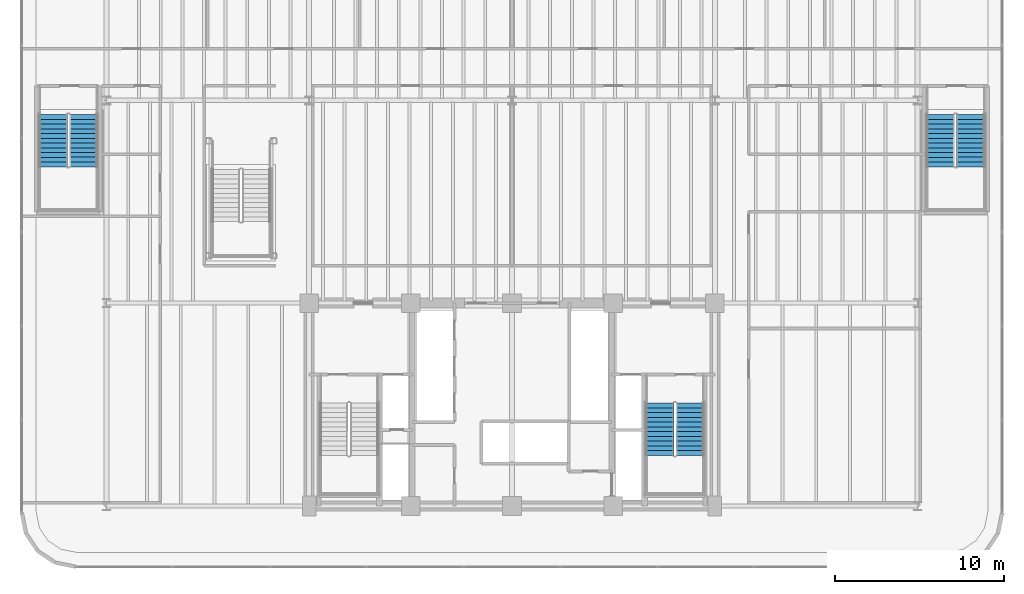
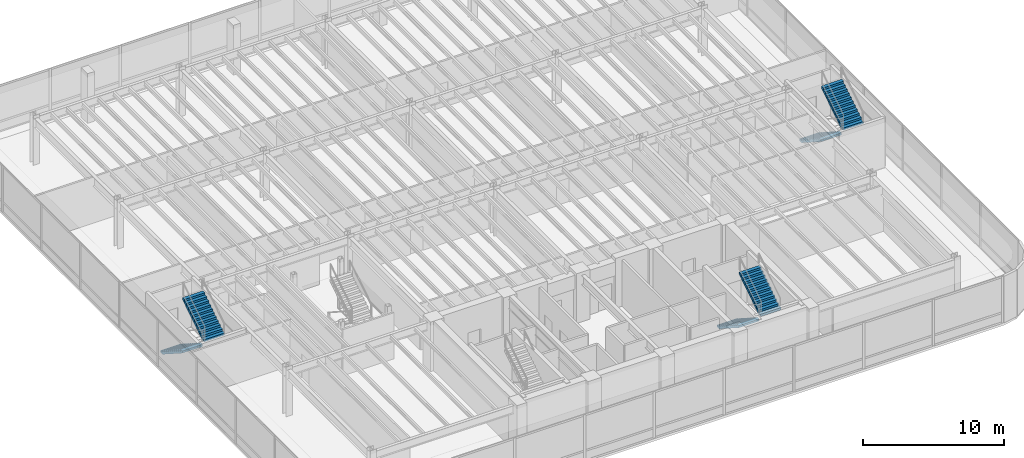
# One storey, part 15 of 18: 6 stair flights, 3 elements without a shape of their own.
"""IFC4 building model written with IfcOpenShell, lengths in metres."""

import ifcopenshell
import ifcopenshell.guid

model = None  # the IFC model being written
_history = None  # IfcOwnerHistory: only IFC2X3 demands one
_inside = {}  # id of a spatial element -> (the spatial element, [elements in it])
_under = {}  # id of a project, library or spatial element -> (it, [spatial elements below it])
_declared = {}  # id of a project -> (the project, [libraries it declares])
_typed = {}  # id of a type object -> (the type object, [elements of that type])
_made_of = {}  # id of a material, layer set ... -> (it, [elements and type objects made of it])


def new_model(schema):
    """Start an empty IFC model of exactly this schema.

    Asked for "IFC4X3", IfcOpenShell would pick the latest addendum, in which some entities
    have other attributes; the version numbers below select the first issue.
    IFC2X3 requires an IfcOwnerHistory on every rooted entity: one is made here for all.
    """
    global model, _history
    if schema == "IFC4X3":
        model = ifcopenshell.file(schema_version=(4, 3, 0, 0))
    else:
        model = ifcopenshell.file(schema=schema)
    _inside.clear()
    _under.clear()
    _declared.clear()
    _typed.clear()
    _made_of.clear()
    _history = None
    if model.schema == "IFC2X3":
        org = make("IfcOrganization", Name="unknown")
        user = make(
            "IfcPersonAndOrganization",
            ThePerson=make("IfcPerson", FamilyName="unknown"),
            TheOrganization=org,
        )
        app = make(
            "IfcApplication",
            ApplicationDeveloper=org,
            Version="unknown",
            ApplicationFullName="unknown",
            ApplicationIdentifier="unknown",
        )
        _history = make(
            "IfcOwnerHistory",
            OwningUser=user,
            OwningApplication=app,
            ChangeAction="ADDED",
            CreationDate=0,
        )
    return model


def make(cls, **values):
    """One entity of the class cls with the attributes given. An attribute that is None is left unset."""
    return model.create_entity(
        cls, **{name: value for name, value in values.items() if value is not None}
    )


def rooted(cls, **values):
    """An entity with a GlobalId (a new one), such as an element, a storey or a relation."""
    return make(cls, GlobalId=ifcopenshell.guid.new(), OwnerHistory=_history, **values)


def si_unit(unit_type, name, prefix=None):
    """IfcSIUnit, for example si_unit("LENGTHUNIT", "METRE", prefix="MILLI")."""
    return make("IfcSIUnit", UnitType=unit_type, Prefix=prefix, Name=name)


def assignment(units):
    """IfcUnitAssignment: the units of a project."""
    return None if units is None else make("IfcUnitAssignment", Units=units)


def point(xyz):
    """IfcCartesianPoint."""
    return None if xyz is None else make("IfcCartesianPoint", Coordinates=xyz)


def direction(xyz):
    """IfcDirection."""
    return None if xyz is None else make("IfcDirection", DirectionRatios=xyz)


def frame(location, z_axis=None, x_axis=None):
    """IfcAxis2Placement3D, a coordinate frame: its origin and axes. An axis left out is left unset."""
    return make(
        "IfcAxis2Placement3D",
        Location=point(location),
        Axis=direction(z_axis),
        RefDirection=direction(x_axis),
    )


def origin():
    """The frame at (0, 0, 0) with its axes left unset."""
    return frame((0.0, 0.0, 0.0))


def place(relative_to, where):
    """IfcLocalPlacement: puts the frame where relative to a parent placement (None: the world)."""
    return make(
        "IfcLocalPlacement", PlacementRelTo=relative_to, RelativePlacement=where
    )


def context(
    kind, dimensions, precision=None, world=None, true_north=None, identifier=None
):
    """IfcGeometricRepresentationContext, for example the 3D "Model" context."""
    return make(
        "IfcGeometricRepresentationContext",
        ContextIdentifier=identifier,
        ContextType=kind,
        CoordinateSpaceDimension=dimensions,
        Precision=precision,
        WorldCoordinateSystem=world,
        TrueNorth=true_north,
    )


def subcontext(parent, identifier, kind, view, scale=None):
    """IfcGeometricRepresentationSubContext, for example "Body" below "Model"."""
    return make(
        "IfcGeometricRepresentationSubContext",
        ContextIdentifier=identifier,
        ContextType=kind,
        ParentContext=parent,
        TargetScale=scale,
        TargetView=view,
    )


def project(units=None, contexts=None):
    """IfcProject with its units and contexts."""
    return rooted(
        "IfcProject",
        Name="project",
        RepresentationContexts=contexts,
        UnitsInContext=assignment(units),
    )


def spatial(cls, under=None, at=None, **own):
    """A site, building, storey or space (cls), placed at a placement, below another one or the project."""
    s = rooted(cls, ObjectPlacement=at, **own)
    if under is not None:
        _under.setdefault(under.id(), (under, []))[1].append(s)
    return s


def polyline(points):
    """IfcPolyline through the points."""
    return make("IfcPolyline", Points=[point(p) for p in points])


def outline(outer, holes=None, kind="AREA"):
    """IfcArbitraryClosedProfileDef: a profile drawn as a closed curve; with holes, ...WithVoids."""
    if holes is None:
        return make("IfcArbitraryClosedProfileDef", ProfileType=kind, OuterCurve=outer)
    return make(
        "IfcArbitraryProfileDefWithVoids",
        ProfileType=kind,
        OuterCurve=outer,
        InnerCurves=holes,
    )


def extrude(swept, where, along, depth):
    """IfcExtrudedAreaSolid: the profile swept, set in the frame where, extruded along a direction by depth."""
    return make(
        "IfcExtrudedAreaSolid",
        SweptArea=swept,
        Position=where,
        ExtrudedDirection=direction(along),
        Depth=depth,
    )


def shape(context_of_items, identifier, shape_type, items):
    """IfcShapeRepresentation: the items that make up one representation, for example the "Body"."""
    return make(
        "IfcShapeRepresentation",
        ContextOfItems=context_of_items,
        RepresentationIdentifier=identifier,
        RepresentationType=shape_type,
        Items=items,
    )


def material(Name=None, Category=None):
    """IfcMaterial."""
    return make("IfcMaterial", Name=Name, Category=Category)


def made_of(thing, what):
    """Note that an element or type object is made of a material, layer set ...; save() writes the relation."""
    if what is not None:
        _made_of.setdefault(what.id(), (what, []))[1].append(thing)
    return thing


def type_object(cls, material=None, **own):
    """A type object (cls), such as IfcWallType, which elements share."""
    return made_of(rooted(cls, **own), material)


def element(
    cls,
    number,
    at=None,
    inside=None,
    cuts=None,
    type_object=None,
    material=None,
    context=None,
    identifier="Body",
    shape_type=None,
    held_by="IfcProductDefinitionShape",
    body=None,
    shapes=None,
    **own,
):
    """One element of the class cls, such as IfcWall. Its Tag is "e" and its number.

    at: its placement. inside: the storey or other place that contains it. cuts: it is an
    opening in that element (IfcRelVoidsElement). A single representation is given by context,
    identifier, shape_type and body (its items); several are given by shapes. held_by: the class
    of the entity that holds the representations. save() writes the other relations.
    """
    e = rooted(cls, Tag="e%d" % number, ObjectPlacement=at, **own)
    if body is not None:
        shapes = [shape(context, identifier, shape_type, body)]
    if shapes is not None:
        e.Representation = make(held_by, Representations=shapes)
    if inside is not None:
        _inside.setdefault(inside.id(), (inside, []))[1].append(e)
    if cuts is not None:
        rooted(
            "IfcRelVoidsElement", RelatingBuildingElement=cuts, RelatedOpeningElement=e
        )
    if type_object is not None:
        _typed.setdefault(type_object.id(), (type_object, []))[1].append(e)
    return made_of(e, material)


def aggregate(whole, parts):
    """IfcRelAggregates: a whole, such as a stair, and the parts it consists of."""
    return rooted("IfcRelAggregates", RelatingObject=whole, RelatedObjects=parts)


def save(model, path):
    """Write the relations noted so far, then the file.

    IfcRelAggregates (storeys below a building ...), IfcRelContainedInSpatialStructure (elements
    in a storey), IfcRelDefinesByType, IfcRelAssociatesMaterial and IfcRelDeclares: one each for
    every whole, place, type object, material and project.
    """
    for whole, parts in _under.values():
        aggregate(whole, parts)
    for where, things in _inside.values():
        rooted(
            "IfcRelContainedInSpatialStructure",
            RelatedElements=things,
            RelatingStructure=where,
        )
    for kind, things in _typed.values():
        rooted("IfcRelDefinesByType", RelatedObjects=things, RelatingType=kind)
    for what, things in _made_of.values():
        rooted("IfcRelAssociatesMaterial", RelatedObjects=things, RelatingMaterial=what)
    for by, libraries in _declared.values():
        rooted("IfcRelDeclares", RelatingContext=by, RelatedDefinitions=libraries)
    model.write(path)


model = new_model("IFC4")

# Units and contexts
model_context = context("Model", 3, precision=1e-05, world=origin(), true_north=direction((0.0, 1.0)))
body_context = subcontext(model_context, "Body", "Model", "MODEL_VIEW")
ifc_project = project(units=[si_unit("LENGTHUNIT", "METRE"), si_unit("AREAUNIT", "SQUARE_METRE"), si_unit("VOLUMEUNIT", "CUBIC_METRE"), si_unit("PLANEANGLEUNIT", "RADIAN"), si_unit("MASSUNIT", "GRAM", prefix="KILO")], contexts=[model_context])

# Site, building, storey
site_placement = place(None, origin())
site = spatial("IfcSite", under=ifc_project, at=site_placement, CompositionType="ELEMENT")
building_placement = place(site_placement, origin())
building = spatial("IfcBuilding", under=site, at=building_placement, Name="Brelvock Crest Care Tower", CompositionType="ELEMENT")
storey_placement = place(building_placement, frame((0.0, 0.0, 9.719970703125)))
storey = spatial("IfcBuildingStorey", under=building, at=storey_placement, Name="L02", CompositionType="ELEMENT", Elevation=9.719970703125)

# Stair, stair flights
ifc_material = material(Name="Concrete N40 (40 MPa)", Category="concrete")
stair_type_1 = type_object("IfcStairType", Name="ST-CORE1", PredefinedType="HALF_TURN_STAIR", material=ifc_material)
stair_1_placement = place(storey_placement, origin())
stair_1 = element("IfcStair", 1, at=stair_1_placement, inside=storey, type_object=stair_type_1, Name="L02 Fire-Isolated Core Stair ST-2", PredefinedType="HALF_TURN_STAIR")
stair_flight_type_1 = type_object("IfcStairFlightType", Name="STF-1", PredefinedType="STRAIGHT", material=ifc_material)
stair_flight_1_placement = place(storey_placement, frame((44.72998046875, 12.080078125, 0.0), z_axis=(0.0, 0.0, 1.0), x_axis=(0.0, -1.0, 0.0)))
stair_flight_1 = element("IfcStairFlight", 2, at=stair_flight_1_placement, type_object=stair_flight_type_1, Name="ST-2 flight 1", NumberOfRisers=12, NumberOfTreads=11, PredefinedType="STRAIGHT", RiserHeight=0.18, TreadLength=0.28, context=body_context, shape_type="SweptSolid", body=[
    extrude(outline(polyline([(-0.00390625, -0.014892578125), (-0.00390625, -0.008056640625), (-0.00390625, -0.0009765625), (-0.00390625, 0.005859375), (-0.00390625, 0.012939453125), (-0.00390625, 0.019775390625), (-0.00390625, 0.02685546875), (-0.00390625, 0.03369140625), (-0.00390625, 0.040771484375), (-0.00390625, 0.047607421875), (-0.00390625, 0.0546875), (-0.00390625, 0.0615234375), (-0.00390625, 0.068603515625), (-0.00390625, 0.075439453125), (-0.00390625, 0.08251953125), (-0.00390625, 0.08935546875), (-0.00390625, 0.096435546875), (-0.00390625, 0.103271484375), (-0.00390625, 0.1103515625), (-0.00390625, 0.117431640625), (-0.00390625, 0.124267578125), (-0.00390625, 0.13134765625), (-0.00390625, 0.13818359375), (-0.00390625, 0.145263671875), (-0.00390625, 0.152099609375), (-0.00390625, 0.1591796875), (-0.00390625, 0.166015625), (-0.00390625, 0.173095703125), (-0.00390625, 0.179931640625), (0.0, 0.179931640625), (0.280029296875, 0.179931640625), (0.280029296875, 0.360107421875), (0.56005859375, 0.360107421875), (0.56005859375, 0.5400390625), (0.840087890625, 0.5400390625), (0.840087890625, 0.719970703125), (1.1201171875, 0.719970703125), (1.1201171875, 0.89990234375), (1.39990234375, 0.89990234375), (1.39990234375, 1.080078125), (1.679931640625, 1.080078125), (1.679931640625, 1.260009765625), (1.9599609375, 1.260009765625), (1.9599609375, 1.43994140625), (2.239990234375, 1.43994140625), (2.239990234375, 1.6201171875), (2.52001953125, 1.6201171875), (2.52001953125, 1.800048828125), (2.800048828125, 1.800048828125), (2.800048828125, 1.97998046875), (3.080078125, 1.97998046875), (3.083984375, 1.97998046875), (3.083740234375, 1.979248046875), (3.083984375, 1.978759765625), (3.083740234375, 1.97802734375), (3.083984375, 1.9775390625), (3.083740234375, 1.976806640625), (3.083984375, 1.97607421875), (3.083740234375, 1.9755859375), (3.083984375, 1.974853515625), (3.083740234375, 1.97412109375), (3.083984375, 1.9736328125), (3.083740234375, 1.972900390625), (3.083984375, 1.97216796875), (3.083740234375, 1.9716796875), (3.083984375, 1.970947265625), (3.083740234375, 1.970458984375), (3.083984375, 1.9697265625), (3.083740234375, 1.968994140625), (3.083984375, 1.968505859375), (3.083740234375, 1.9677734375), (3.083984375, 1.967041015625), (3.083740234375, 1.966552734375), (3.083984375, 1.9658203125), (3.083740234375, 1.96533203125), (3.083984375, 1.964599609375), (3.083740234375, 1.9638671875), (3.083984375, 1.96337890625), (3.083740234375, 1.962646484375), (3.083984375, 1.9619140625), (3.080078125, 1.8017578125), (0.277099609375, 0.0), (0.0, 0.0), (0.0, -0.014892578125), (-0.00390625, -0.014892578125)])), frame((0.0, 0.83984375, 0.0), z_axis=(0.0, -1.0, 0.0), x_axis=(1.0, 0.0, 0.0)), (0.0, 0.0, 1.0), 1.679931640625),
])
stair_flight_2_placement = place(storey_placement, frame((46.530029296875, 9.0, 2.159912109375), z_axis=(0.0, 0.0, 1.0), x_axis=(0.0, 1.0, 0.0)))
stair_flight_2 = element("IfcStairFlight", 3, at=stair_flight_2_placement, type_object=stair_flight_type_1, Name="ST-2 flight 2", NumberOfRisers=12, NumberOfTreads=11, PredefinedType="STRAIGHT", RiserHeight=0.18, TreadLength=0.28, context=body_context, shape_type="SweptSolid", body=[
    extrude(outline(polyline([(-0.00390625, -0.014892578125), (-0.00390625, -0.008056640625), (-0.00390625, -0.0009765625), (-0.00390625, 0.005859375), (-0.00390625, 0.012939453125), (-0.00390625, 0.019775390625), (-0.00390625, 0.02685546875), (-0.00390625, 0.03369140625), (-0.00390625, 0.040771484375), (-0.00390625, 0.047607421875), (-0.00390625, 0.0546875), (-0.00390625, 0.0615234375), (-0.00390625, 0.068603515625), (-0.00390625, 0.075439453125), (-0.00390625, 0.08251953125), (-0.00390625, 0.08935546875), (-0.00390625, 0.096435546875), (-0.00390625, 0.103271484375), (-0.00390625, 0.1103515625), (-0.00390625, 0.117431640625), (-0.00390625, 0.124267578125), (-0.00390625, 0.13134765625), (-0.00390625, 0.13818359375), (-0.00390625, 0.145263671875), (-0.00390625, 0.152099609375), (-0.00390625, 0.1591796875), (-0.00390625, 0.166015625), (-0.00390625, 0.173095703125), (-0.00390625, 0.179931640625), (0.0, 0.179931640625), (0.280029296875, 0.179931640625), (0.280029296875, 0.360107421875), (0.56005859375, 0.360107421875), (0.56005859375, 0.5400390625), (0.840087890625, 0.5400390625), (0.840087890625, 0.719970703125), (1.1201171875, 0.719970703125), (1.1201171875, 0.89990234375), (1.39990234375, 0.89990234375), (1.39990234375, 1.080078125), (1.679931640625, 1.080078125), (1.679931640625, 1.260009765625), (1.9599609375, 1.260009765625), (1.9599609375, 1.43994140625), (2.239990234375, 1.43994140625), (2.239990234375, 1.6201171875), (2.52001953125, 1.6201171875), (2.52001953125, 1.800048828125), (2.800048828125, 1.800048828125), (2.800048828125, 1.97998046875), (3.080078125, 1.97998046875), (3.083984375, 1.97998046875), (3.083740234375, 1.979248046875), (3.083984375, 1.978759765625), (3.083740234375, 1.97802734375), (3.083984375, 1.9775390625), (3.083740234375, 1.976806640625), (3.083984375, 1.97607421875), (3.083740234375, 1.9755859375), (3.083984375, 1.974853515625), (3.083740234375, 1.97412109375), (3.083984375, 1.9736328125), (3.083740234375, 1.972900390625), (3.083984375, 1.97216796875), (3.083740234375, 1.9716796875), (3.083984375, 1.970947265625), (3.083740234375, 1.970458984375), (3.083984375, 1.9697265625), (3.083740234375, 1.968994140625), (3.083984375, 1.968505859375), (3.083740234375, 1.9677734375), (3.083984375, 1.967041015625), (3.083740234375, 1.966552734375), (3.083984375, 1.9658203125), (3.083740234375, 1.96533203125), (3.083984375, 1.964599609375), (3.083740234375, 1.9638671875), (3.083984375, 1.96337890625), (3.083740234375, 1.962646484375), (3.083984375, 1.9619140625), (3.080078125, 1.8017578125), (0.277099609375, 0.0), (0.0, 0.0), (0.0, -0.014892578125), (-0.00390625, -0.014892578125)])), frame((0.0, 0.83984375, 0.0), z_axis=(0.0, -1.0, 0.0), x_axis=(1.0, 0.0, 0.0)), (0.0, 0.0, 1.0), 1.679931640625),
])
aggregate(stair_1, [stair_flight_1, stair_flight_2])

stair_type_2 = type_object("IfcStairType", Name="ST-POD1", PredefinedType="HALF_TURN_STAIR", material=ifc_material)
stair_2_placement = place(storey_placement, origin())
stair_2 = element("IfcStair", 4, at=stair_2_placement, inside=storey, type_object=stair_type_2, Name="L02 Podium West Fire Stair ST-3", PredefinedType="HALF_TURN_STAIR")
stair_flight_type_2 = type_object("IfcStairFlightType", Name="STF-2", PredefinedType="STRAIGHT", material=ifc_material)
stair_flight_3_placement = place(storey_placement, frame((8.85009765625, 29.14990234375, 0.0), z_axis=(0.0, 0.0, 1.0), x_axis=(0.0, -1.0, 0.0)))
stair_flight_3 = element("IfcStairFlight", 5, at=stair_flight_3_placement, type_object=stair_flight_type_2, Name="ST-3 flight 1", NumberOfRisers=12, NumberOfTreads=11, PredefinedType="STRAIGHT", RiserHeight=0.18, TreadLength=0.28, context=body_context, shape_type="SweptSolid", body=[
    extrude(outline(polyline([(-0.00390625, -0.014892578125), (-0.00390625, -0.008056640625), (-0.00390625, -0.0009765625), (-0.00390625, 0.005859375), (-0.00390625, 0.012939453125), (-0.00390625, 0.019775390625), (-0.00390625, 0.02685546875), (-0.00390625, 0.03369140625), (-0.00390625, 0.040771484375), (-0.00390625, 0.047607421875), (-0.00390625, 0.0546875), (-0.00390625, 0.0615234375), (-0.00390625, 0.068603515625), (-0.00390625, 0.075439453125), (-0.00390625, 0.08251953125), (-0.00390625, 0.08935546875), (-0.00390625, 0.096435546875), (-0.00390625, 0.103271484375), (-0.00390625, 0.1103515625), (-0.00390625, 0.117431640625), (-0.00390625, 0.124267578125), (-0.00390625, 0.13134765625), (-0.00390625, 0.13818359375), (-0.00390625, 0.145263671875), (-0.00390625, 0.152099609375), (-0.00390625, 0.1591796875), (-0.00390625, 0.166015625), (-0.00390625, 0.173095703125), (-0.00390625, 0.179931640625), (0.0, 0.179931640625), (0.280029296875, 0.179931640625), (0.280029296875, 0.360107421875), (0.56005859375, 0.360107421875), (0.56005859375, 0.5400390625), (0.840087890625, 0.5400390625), (0.840087890625, 0.719970703125), (1.1201171875, 0.719970703125), (1.1201171875, 0.89990234375), (1.39990234375, 0.89990234375), (1.39990234375, 1.080078125), (1.679931640625, 1.080078125), (1.679931640625, 1.260009765625), (1.9599609375, 1.260009765625), (1.9599609375, 1.43994140625), (2.239990234375, 1.43994140625), (2.239990234375, 1.6201171875), (2.52001953125, 1.6201171875), (2.52001953125, 1.800048828125), (2.800048828125, 1.800048828125), (2.800048828125, 1.97998046875), (3.080078125, 1.97998046875), (3.083984375, 1.97998046875), (3.083740234375, 1.979248046875), (3.083984375, 1.978759765625), (3.083740234375, 1.97802734375), (3.083984375, 1.9775390625), (3.083740234375, 1.976806640625), (3.083984375, 1.97607421875), (3.083740234375, 1.9755859375), (3.083984375, 1.974853515625), (3.083740234375, 1.97412109375), (3.083984375, 1.9736328125), (3.083740234375, 1.972900390625), (3.083984375, 1.97216796875), (3.083740234375, 1.9716796875), (3.083984375, 1.970947265625), (3.083740234375, 1.970458984375), (3.083984375, 1.9697265625), (3.083740234375, 1.968994140625), (3.083984375, 1.968505859375), (3.083740234375, 1.9677734375), (3.083984375, 1.967041015625), (3.083740234375, 1.966552734375), (3.083984375, 1.9658203125), (3.083740234375, 1.96533203125), (3.083984375, 1.964599609375), (3.083740234375, 1.9638671875), (3.083984375, 1.96337890625), (3.083740234375, 1.962646484375), (3.083984375, 1.9619140625), (3.080078125, 1.8017578125), (0.277099609375, 0.0), (0.0, 0.0), (0.0, -0.014892578125), (-0.00390625, -0.014892578125)])), frame((0.0, 0.83984375, 0.0), z_axis=(0.0, -1.0, 0.0), x_axis=(1.0, 0.0, 0.0)), (0.0, 0.0, 1.0), 1.679931640625),
])
stair_flight_4_placement = place(storey_placement, frame((10.64990234375, 26.070068359375, 2.159912109375), z_axis=(0.0, 0.0, 1.0), x_axis=(0.0, 1.0, 0.0)))
stair_flight_4 = element("IfcStairFlight", 6, at=stair_flight_4_placement, type_object=stair_flight_type_2, Name="ST-3 flight 2", NumberOfRisers=12, NumberOfTreads=11, PredefinedType="STRAIGHT", RiserHeight=0.18, TreadLength=0.28, context=body_context, shape_type="SweptSolid", body=[
    extrude(outline(polyline([(-0.00390625, -0.014892578125), (-0.00390625, -0.008056640625), (-0.00390625, -0.0009765625), (-0.00390625, 0.005859375), (-0.00390625, 0.012939453125), (-0.00390625, 0.019775390625), (-0.00390625, 0.02685546875), (-0.00390625, 0.03369140625), (-0.00390625, 0.040771484375), (-0.00390625, 0.047607421875), (-0.00390625, 0.0546875), (-0.00390625, 0.0615234375), (-0.00390625, 0.068603515625), (-0.00390625, 0.075439453125), (-0.00390625, 0.08251953125), (-0.00390625, 0.08935546875), (-0.00390625, 0.096435546875), (-0.00390625, 0.103271484375), (-0.00390625, 0.1103515625), (-0.00390625, 0.117431640625), (-0.00390625, 0.124267578125), (-0.00390625, 0.13134765625), (-0.00390625, 0.13818359375), (-0.00390625, 0.145263671875), (-0.00390625, 0.152099609375), (-0.00390625, 0.1591796875), (-0.00390625, 0.166015625), (-0.00390625, 0.173095703125), (-0.00390625, 0.179931640625), (0.0, 0.179931640625), (0.280029296875, 0.179931640625), (0.280029296875, 0.360107421875), (0.56005859375, 0.360107421875), (0.56005859375, 0.5400390625), (0.840087890625, 0.5400390625), (0.840087890625, 0.719970703125), (1.1201171875, 0.719970703125), (1.1201171875, 0.89990234375), (1.39990234375, 0.89990234375), (1.39990234375, 1.080078125), (1.679931640625, 1.080078125), (1.679931640625, 1.260009765625), (1.9599609375, 1.260009765625), (1.9599609375, 1.43994140625), (2.239990234375, 1.43994140625), (2.239990234375, 1.6201171875), (2.52001953125, 1.6201171875), (2.52001953125, 1.800048828125), (2.800048828125, 1.800048828125), (2.800048828125, 1.97998046875), (3.080078125, 1.97998046875), (3.083984375, 1.97998046875), (3.083740234375, 1.979248046875), (3.083984375, 1.978759765625), (3.083740234375, 1.97802734375), (3.083984375, 1.9775390625), (3.083740234375, 1.976806640625), (3.083984375, 1.97607421875), (3.083740234375, 1.9755859375), (3.083984375, 1.974853515625), (3.083740234375, 1.97412109375), (3.083984375, 1.9736328125), (3.083740234375, 1.972900390625), (3.083984375, 1.97216796875), (3.083740234375, 1.9716796875), (3.083984375, 1.970947265625), (3.083740234375, 1.970458984375), (3.083984375, 1.9697265625), (3.083740234375, 1.968994140625), (3.083984375, 1.968505859375), (3.083740234375, 1.9677734375), (3.083984375, 1.967041015625), (3.083740234375, 1.966552734375), (3.083984375, 1.9658203125), (3.083740234375, 1.96533203125), (3.083984375, 1.964599609375), (3.083740234375, 1.9638671875), (3.083984375, 1.96337890625), (3.083740234375, 1.962646484375), (3.083984375, 1.9619140625), (3.080078125, 1.8017578125), (0.277099609375, 0.0), (0.0, 0.0), (0.0, -0.014892578125), (-0.00390625, -0.014892578125)])), frame((0.0, 0.83984375, 0.0), z_axis=(0.0, -1.0, 0.0), x_axis=(1.0, 0.0, 0.0)), (0.0, 0.0, 1.0), 1.679931640625),
])
aggregate(stair_2, [stair_flight_3, stair_flight_4])

stair_3_placement = place(storey_placement, origin())
stair_3 = element("IfcStair", 7, at=stair_3_placement, inside=storey, type_object=stair_type_2, Name="L02 Podium East Fire Stair ST-4", PredefinedType="HALF_TURN_STAIR")
stair_flight_5_placement = place(storey_placement, frame((61.35009765625, 29.14990234375, 0.0), z_axis=(0.0, 0.0, 1.0), x_axis=(0.0, -1.0, 0.0)))
stair_flight_5 = element("IfcStairFlight", 8, at=stair_flight_5_placement, type_object=stair_flight_type_2, Name="ST-4 flight 1", NumberOfRisers=12, NumberOfTreads=11, PredefinedType="STRAIGHT", RiserHeight=0.18, TreadLength=0.28, context=body_context, shape_type="SweptSolid", body=[
    extrude(outline(polyline([(-0.00390625, -0.014892578125), (-0.00390625, -0.008056640625), (-0.00390625, -0.0009765625), (-0.00390625, 0.005859375), (-0.00390625, 0.012939453125), (-0.00390625, 0.019775390625), (-0.00390625, 0.02685546875), (-0.00390625, 0.03369140625), (-0.00390625, 0.040771484375), (-0.00390625, 0.047607421875), (-0.00390625, 0.0546875), (-0.00390625, 0.0615234375), (-0.00390625, 0.068603515625), (-0.00390625, 0.075439453125), (-0.00390625, 0.08251953125), (-0.00390625, 0.08935546875), (-0.00390625, 0.096435546875), (-0.00390625, 0.103271484375), (-0.00390625, 0.1103515625), (-0.00390625, 0.117431640625), (-0.00390625, 0.124267578125), (-0.00390625, 0.13134765625), (-0.00390625, 0.13818359375), (-0.00390625, 0.145263671875), (-0.00390625, 0.152099609375), (-0.00390625, 0.1591796875), (-0.00390625, 0.166015625), (-0.00390625, 0.173095703125), (-0.00390625, 0.179931640625), (0.0, 0.179931640625), (0.280029296875, 0.179931640625), (0.280029296875, 0.360107421875), (0.56005859375, 0.360107421875), (0.56005859375, 0.5400390625), (0.840087890625, 0.5400390625), (0.840087890625, 0.719970703125), (1.1201171875, 0.719970703125), (1.1201171875, 0.89990234375), (1.39990234375, 0.89990234375), (1.39990234375, 1.080078125), (1.679931640625, 1.080078125), (1.679931640625, 1.260009765625), (1.9599609375, 1.260009765625), (1.9599609375, 1.43994140625), (2.239990234375, 1.43994140625), (2.239990234375, 1.6201171875), (2.52001953125, 1.6201171875), (2.52001953125, 1.800048828125), (2.800048828125, 1.800048828125), (2.800048828125, 1.97998046875), (3.080078125, 1.97998046875), (3.083984375, 1.97998046875), (3.083740234375, 1.979248046875), (3.083984375, 1.978759765625), (3.083740234375, 1.97802734375), (3.083984375, 1.9775390625), (3.083740234375, 1.976806640625), (3.083984375, 1.97607421875), (3.083740234375, 1.9755859375), (3.083984375, 1.974853515625), (3.083740234375, 1.97412109375), (3.083984375, 1.9736328125), (3.083740234375, 1.972900390625), (3.083984375, 1.97216796875), (3.083740234375, 1.9716796875), (3.083984375, 1.970947265625), (3.083740234375, 1.970458984375), (3.083984375, 1.9697265625), (3.083740234375, 1.968994140625), (3.083984375, 1.968505859375), (3.083740234375, 1.9677734375), (3.083984375, 1.967041015625), (3.083740234375, 1.966552734375), (3.083984375, 1.9658203125), (3.083740234375, 1.96533203125), (3.083984375, 1.964599609375), (3.083740234375, 1.9638671875), (3.083984375, 1.96337890625), (3.083740234375, 1.962646484375), (3.083984375, 1.9619140625), (3.080078125, 1.8017578125), (0.277099609375, 0.0), (0.0, 0.0), (0.0, -0.014892578125), (-0.00390625, -0.014892578125)])), frame((0.0, 0.83984375, 0.0), z_axis=(0.0, -1.0, 0.0), x_axis=(1.0, 0.0, 0.0)), (0.0, 0.0, 1.0), 1.679931640625),
])
stair_flight_6_placement = place(storey_placement, frame((63.14990234375, 26.070068359375, 2.159912109375), z_axis=(0.0, 0.0, 1.0), x_axis=(0.0, 1.0, 0.0)))
stair_flight_6 = element("IfcStairFlight", 9, at=stair_flight_6_placement, type_object=stair_flight_type_2, Name="ST-4 flight 2", NumberOfRisers=12, NumberOfTreads=11, PredefinedType="STRAIGHT", RiserHeight=0.18, TreadLength=0.28, context=body_context, shape_type="SweptSolid", body=[
    extrude(outline(polyline([(-0.00390625, -0.014892578125), (-0.00390625, -0.008056640625), (-0.00390625, -0.0009765625), (-0.00390625, 0.005859375), (-0.00390625, 0.012939453125), (-0.00390625, 0.019775390625), (-0.00390625, 0.02685546875), (-0.00390625, 0.03369140625), (-0.00390625, 0.040771484375), (-0.00390625, 0.047607421875), (-0.00390625, 0.0546875), (-0.00390625, 0.0615234375), (-0.00390625, 0.068603515625), (-0.00390625, 0.075439453125), (-0.00390625, 0.08251953125), (-0.00390625, 0.08935546875), (-0.00390625, 0.096435546875), (-0.00390625, 0.103271484375), (-0.00390625, 0.1103515625), (-0.00390625, 0.117431640625), (-0.00390625, 0.124267578125), (-0.00390625, 0.13134765625), (-0.00390625, 0.13818359375), (-0.00390625, 0.145263671875), (-0.00390625, 0.152099609375), (-0.00390625, 0.1591796875), (-0.00390625, 0.166015625), (-0.00390625, 0.173095703125), (-0.00390625, 0.179931640625), (0.0, 0.179931640625), (0.280029296875, 0.179931640625), (0.280029296875, 0.360107421875), (0.56005859375, 0.360107421875), (0.56005859375, 0.5400390625), (0.840087890625, 0.5400390625), (0.840087890625, 0.719970703125), (1.1201171875, 0.719970703125), (1.1201171875, 0.89990234375), (1.39990234375, 0.89990234375), (1.39990234375, 1.080078125), (1.679931640625, 1.080078125), (1.679931640625, 1.260009765625), (1.9599609375, 1.260009765625), (1.9599609375, 1.43994140625), (2.239990234375, 1.43994140625), (2.239990234375, 1.6201171875), (2.52001953125, 1.6201171875), (2.52001953125, 1.800048828125), (2.800048828125, 1.800048828125), (2.800048828125, 1.97998046875), (3.080078125, 1.97998046875), (3.083984375, 1.97998046875), (3.083740234375, 1.979248046875), (3.083984375, 1.978759765625), (3.083740234375, 1.97802734375), (3.083984375, 1.9775390625), (3.083740234375, 1.976806640625), (3.083984375, 1.97607421875), (3.083740234375, 1.9755859375), (3.083984375, 1.974853515625), (3.083740234375, 1.97412109375), (3.083984375, 1.9736328125), (3.083740234375, 1.972900390625), (3.083984375, 1.97216796875), (3.083740234375, 1.9716796875), (3.083984375, 1.970947265625), (3.083740234375, 1.970458984375), (3.083984375, 1.9697265625), (3.083740234375, 1.968994140625), (3.083984375, 1.968505859375), (3.083740234375, 1.9677734375), (3.083984375, 1.967041015625), (3.083740234375, 1.966552734375), (3.083984375, 1.9658203125), (3.083740234375, 1.96533203125), (3.083984375, 1.964599609375), (3.083740234375, 1.9638671875), (3.083984375, 1.96337890625), (3.083740234375, 1.962646484375), (3.083984375, 1.9619140625), (3.080078125, 1.8017578125), (0.277099609375, 0.0), (0.0, 0.0), (0.0, -0.014892578125), (-0.00390625, -0.014892578125)])), frame((0.0, 0.83984375, 0.0), z_axis=(0.0, -1.0, 0.0), x_axis=(1.0, 0.0, 0.0)), (0.0, 0.0, 1.0), 1.679931640625),
])
aggregate(stair_3, [stair_flight_5, stair_flight_6])

save(model, "model.ifc")
